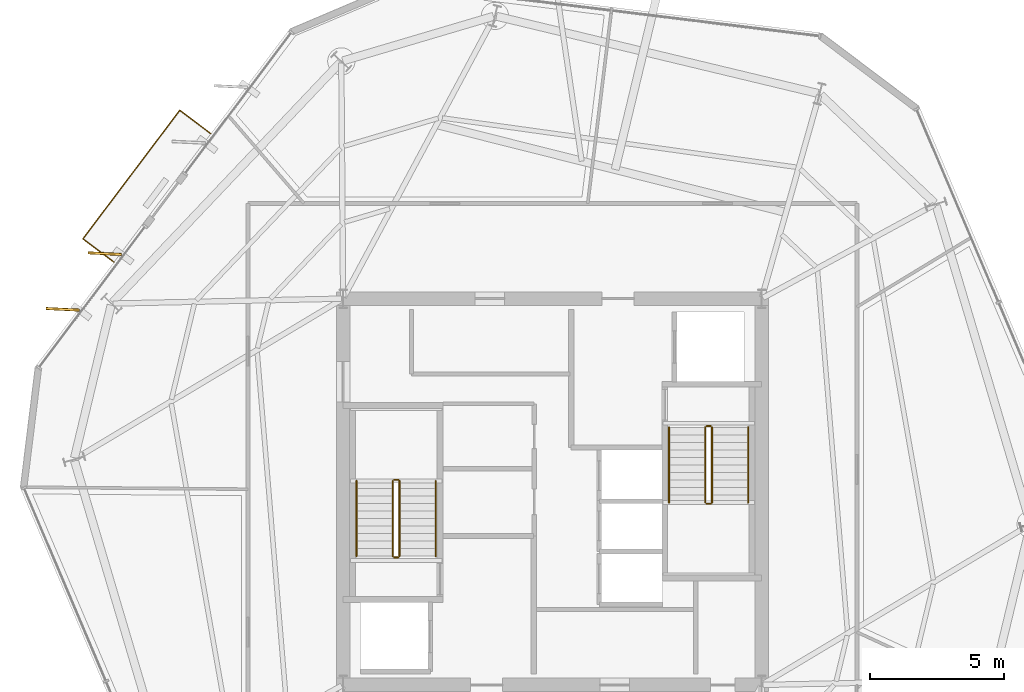
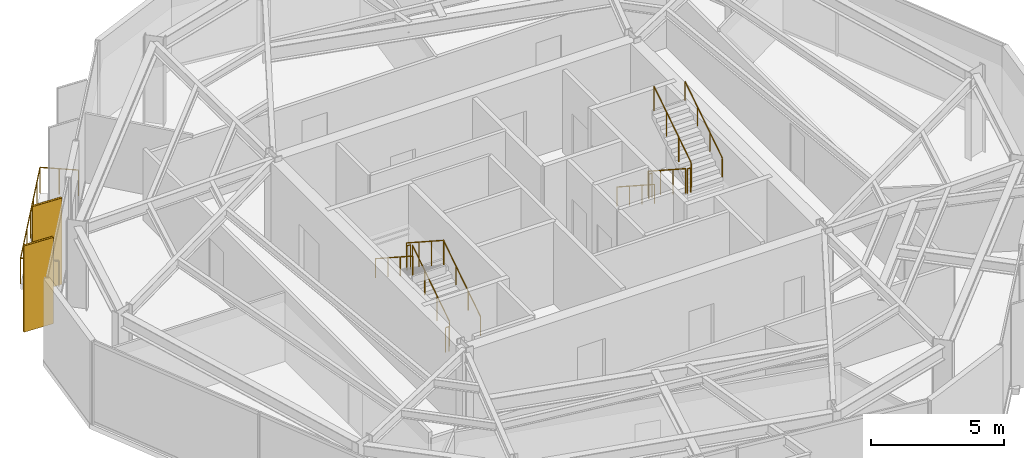
# One storey, part 11 of 12: 13 railings, 2 coverings, 2 shading devices.
"""IFC4 building model written with IfcOpenShell, lengths in metres."""

from ifc_helpers import new_model, si_unit, direction, frame, origin, origin_2d, place, context, subcontext, project, spatial, rectangle, circle, extrude, material, layer, layer_set, type_object, element, save


model = new_model("IFC4")

# Units and contexts
model_context = context("Model", 3, precision=1e-05, world=origin(), true_north=direction((0.0, 1.0)))
body_context = subcontext(model_context, "Body", "Model", "MODEL_VIEW")
ifc_project = project(units=[si_unit("LENGTHUNIT", "METRE"), si_unit("AREAUNIT", "SQUARE_METRE"), si_unit("VOLUMEUNIT", "CUBIC_METRE"), si_unit("PLANEANGLEUNIT", "RADIAN"), si_unit("MASSUNIT", "GRAM", prefix="KILO")], contexts=[model_context])

# Site, building, storey
site_placement = place(None, origin())
site = spatial("IfcSite", under=ifc_project, at=site_placement, CompositionType="ELEMENT")
building_placement = place(site_placement, origin())
building = spatial("IfcBuilding", under=site, at=building_placement, Name="Kranzbogen Civic Tower", CompositionType="ELEMENT")
storey_placement = place(building_placement, frame((0.0, 0.0, 236.800048828125)))
storey = spatial("IfcBuildingStorey", under=building, at=storey_placement, Name="L57", CompositionType="ELEMENT", Elevation=236.800048828125)

# Coverings
ifc_material_1 = material(Name="Pale Anodised Aluminium", Category="aluminium")
ifc_layer = layer(ifc_material_1, 0.02490234375, Name="Pale Anodised Aluminium")
ifc_layer_set = layer_set([ifc_layer], Name="Pale Anodised Aluminium")
covering_type = type_object("IfcCoveringType", Name="Anodised Aluminium Vertical Fin Cladding 25 mm", PredefinedType="CLADDING", material=ifc_layer_set)
for number, where, z_axis, x_axis, name in (
    (1, (8.31591796875, 33.876953125, -0.14013671875), (0.0, 0.0, 1.0), (-0.998799306891, 0.048989228964, 0.0), "L57 vertical fin pale-metal cladding F2-4"),
    (2, (6.7509765625, 31.801025390625, -0.14013671875), (0.0, 0.0, 1.0), (-0.998799306891, 0.048989228964, 0.0), "L57 vertical fin pale-metal cladding F2-5"),
):
    element("IfcCovering", number, at=place(storey_placement, frame(where, z_axis=z_axis, x_axis=x_axis)), inside=storey, type_object=covering_type, Name=name, PredefinedType="CLADDING", context=body_context, shape_type="SweptSolid", body=[
        extrude(rectangle(XDim=1.25, YDim=0.10009765625, at=origin_2d()), origin(), (0.0, 0.0, 1.0), 3.9599609375),
    ])

# Shading devices
ifc_material_2 = material(Name="Anodised Bronze Aluminium", Category="aluminium")
shading_device_type = type_object("IfcShadingDeviceType", Name="Anodised Bronze Vertical Facade Fin 1250x80", PredefinedType="USERDEFINED", material=ifc_material_2)
for number, where, z_axis, x_axis, name in (
    (3, (8.31591796875, 33.876953125, -0.14013671875), (0.0, 0.0, 1.0), (-0.998799306891, 0.048989228964, 0.0), "L57 vertical exterior shading fin F2-4"),
    (4, (6.7509765625, 31.801025390625, -0.14013671875), (0.0, 0.0, 1.0), (-0.998799306891, 0.048989228964, 0.0), "L57 vertical exterior shading fin F2-5"),
):
    element("IfcShadingDevice", number, at=place(storey_placement, frame(where, z_axis=z_axis, x_axis=x_axis)), inside=storey, type_object=shading_device_type, Name=name, ObjectType="FIN", PredefinedType="USERDEFINED", context=body_context, shape_type="SweptSolid", body=[
        extrude(rectangle(XDim=1.25, YDim=0.080078125, at=origin_2d()), origin(), (0.0, 0.0, 1.0), 3.9599609375),
    ])

# Railings
railing_type_1 = type_object("IfcRailingType", Name="Cantilevered Balcony Glass and Bronze Balustrade 1200", PredefinedType="BALUSTRADE", material=ifc_material_2)
railing_1_placement = place(storey_placement, frame((12.27001953125, 38.34912109375, 0.0)))
element("IfcRailing", 5, at=railing_1_placement, inside=storey, type_object=railing_type_1, Name="L57 exterior terrace balustrade L57-TB1", PredefinedType="BALUSTRADE", context=body_context, shape_type="SweptSolid", body=[
    extrude(circle(Radius=0.02392578125, at=origin_2d()), frame((0.0, 0.0, 1.17578125), z_axis=(-0.798563229381, 0.601910930853, 0.0), x_axis=(-0.601910930853, -0.798563229381, 0.0)), (0.0, 0.0, 1.0), 1.449951171875),
    extrude(circle(Radius=0.02392578125, at=origin_2d()), frame((-1.157958984375, 0.872802734375, 1.17578125), z_axis=(-0.601821280228, -0.798630794964, 0.0), x_axis=(0.798630794964, -0.601821280228, 0.0)), (0.0, 0.0, 1.0), 6.000244140625),
    extrude(circle(Radius=0.02392578125, at=origin_2d()), frame((-4.76904296875, -3.919189453125, 1.17578125), z_axis=(0.798482302568, -0.602018282518, 0.0), x_axis=(0.602018282518, 0.798482302568, 0.0)), (0.0, 0.0, 1.0), 1.4501953125),
    extrude(circle(Radius=0.02099609375, at=origin_2d()), origin(), (0.0, 0.0, 1.0), 1.15185546875),
    extrude(circle(Radius=0.02099609375, at=origin_2d()), frame((-0.5791015625, 0.4365234375, 0.0)), (0.0, 0.0, 1.0), 1.15185546875),
    extrude(circle(Radius=0.02099609375, at=origin_2d()), frame((-1.157958984375, 0.872802734375, 0.0)), (0.0, 0.0, 1.0), 1.15185546875),
    extrude(circle(Radius=0.02099609375, at=origin_2d()), frame((-1.759765625, 0.07421875, 0.0)), (0.0, 0.0, 1.0), 1.15185546875),
    extrude(circle(Radius=0.02099609375, at=origin_2d()), frame((-2.361572265625, -0.724609375, 0.0)), (0.0, 0.0, 1.0), 1.15185546875),
    extrude(circle(Radius=0.02099609375, at=origin_2d()), frame((-2.96337890625, -1.523193359375, 0.0)), (0.0, 0.0, 1.0), 1.15185546875),
    extrude(circle(Radius=0.02099609375, at=origin_2d()), frame((-3.5654296875, -2.32177734375, 0.0)), (0.0, 0.0, 1.0), 1.15185546875),
    extrude(circle(Radius=0.02099609375, at=origin_2d()), frame((-4.167236328125, -3.12060546875, 0.0)), (0.0, 0.0, 1.0), 1.15185546875),
    extrude(circle(Radius=0.02099609375, at=origin_2d()), frame((-4.76904296875, -3.919189453125, 0.0)), (0.0, 0.0, 1.0), 1.15185546875),
    extrude(circle(Radius=0.02099609375, at=origin_2d()), frame((-4.18994140625, -4.355712890625, 0.0)), (0.0, 0.0, 1.0), 1.15185546875),
    extrude(circle(Radius=0.02099609375, at=origin_2d()), frame((-3.611083984375, -4.792236328125, 0.0)), (0.0, 0.0, 1.0), 1.15185546875),
])
ifc_material_3 = material(Name="Steel S355", Category="steel")
railing_type_2 = type_object("IfcRailingType", Name="Internal Stair and Void Steel Guardrail 1150", PredefinedType="GUARDRAIL", material=ifc_material_3)
railing_2_placement = place(storey_placement, frame((19.300048828125, 22.60009765625, 0.181884765625)))
element("IfcRailing", 6, at=railing_2_placement, inside=storey, type_object=railing_type_2, Name="L57 ST-T1 stair guard 1", PredefinedType="GUARDRAIL", context=body_context, shape_type="SweptSolid", body=[
    extrude(circle(Radius=0.02392578125, at=origin_2d()), frame((0.0, 0.0, 1.1259765625), z_axis=(0.0, 0.83868413941, 0.544618136222), x_axis=(-1.0, 0.0, 0.0)), (0.0, 0.0, 1.0), 3.33837890625),
    extrude(circle(Radius=0.02099609375, at=origin_2d()), origin(), (0.0, 0.0, 1.0), 1.101806640625),
    extrude(circle(Radius=0.02099609375, at=origin_2d()), frame((0.0, 0.933349609375, 0.60595703125)), (0.0, 0.0, 1.0), 1.101806640625),
    extrude(circle(Radius=0.02099609375, at=origin_2d()), frame((0.0, 1.866455078125, 1.212158203125)), (0.0, 0.0, 1.0), 1.101806640625),
    extrude(circle(Radius=0.02099609375, at=origin_2d()), frame((0.0, 2.7998046875, 1.818115234375)), (0.0, 0.0, 1.0), 1.101806640625),
])
railing_3_placement = place(storey_placement, frame((19.25, 25.449951171875, 2.0)))
element("IfcRailing", 7, at=railing_3_placement, inside=storey, type_object=railing_type_2, Name="L57 ST-T1 stair guard 2", PredefinedType="GUARDRAIL", context=body_context, shape_type="SweptSolid", body=[
    extrude(circle(Radius=0.02392578125, at=origin_2d()), frame((0.0, 0.0, 1.1259765625), z_axis=(-1.0, 0.0, 0.0), x_axis=(0.0, -1.0, 0.0)), (0.0, 0.0, 1.0), 0.14990234375),
    extrude(circle(Radius=0.02099609375, at=origin_2d()), origin(), (0.0, 0.0, 1.0), 1.101806640625),
    extrude(circle(Radius=0.02099609375, at=origin_2d()), frame((-0.14990234375, 0.0, 0.0)), (0.0, 0.0, 1.0), 1.101806640625),
])
railing_4_placement = place(storey_placement, frame((19.050048828125, 25.39990234375, 2.181884765625)))
element("IfcRailing", 8, at=railing_4_placement, inside=storey, type_object=railing_type_2, Name="L57 ST-T1 stair guard 3", PredefinedType="GUARDRAIL", context=body_context, shape_type="SweptSolid", body=[
    extrude(circle(Radius=0.02392578125, at=origin_2d()), frame((0.0, 0.0, 1.1259765625), z_axis=(0.0, -0.83868413941, 0.544618136222), x_axis=(1.0, 0.0, 0.0)), (0.0, 0.0, 1.0), 3.33837890625),
    extrude(circle(Radius=0.02099609375, at=origin_2d()), origin(), (0.0, 0.0, 1.0), 1.101806640625),
    extrude(circle(Radius=0.02099609375, at=origin_2d()), frame((0.0, -0.933349609375, 0.60595703125)), (0.0, 0.0, 1.0), 1.101806640625),
    extrude(circle(Radius=0.02099609375, at=origin_2d()), frame((0.0, -1.866455078125, 1.212158203125)), (0.0, 0.0, 1.0), 1.101806640625),
    extrude(circle(Radius=0.02099609375, at=origin_2d()), frame((0.0, -2.7998046875, 1.818115234375)), (0.0, 0.0, 1.0), 1.101806640625),
])
railing_5_placement = place(storey_placement, frame((19.25, 22.550048828125, 0.0)))
element("IfcRailing", 9, at=railing_5_placement, inside=storey, type_object=railing_type_2, Name="L57 ST-T1 stair guard 4", PredefinedType="GUARDRAIL", context=body_context, shape_type="SweptSolid", body=[
    extrude(circle(Radius=0.02392578125, at=origin_2d()), frame((0.0, 0.0, 1.1259765625), z_axis=(-1.0, 0.0, 0.0), x_axis=(0.0, -1.0, 0.0)), (0.0, 0.0, 1.0), 0.14990234375),
    extrude(circle(Radius=0.02099609375, at=origin_2d()), origin(), (0.0, 0.0, 1.0), 1.101806640625),
    extrude(circle(Radius=0.02099609375, at=origin_2d()), frame((-0.14990234375, 0.0, 0.0)), (0.0, 0.0, 1.0), 1.101806640625),
])
railing_6_placement = place(storey_placement, frame((30.699951171875, 27.39990234375, 0.181884765625)))
element("IfcRailing", 10, at=railing_6_placement, inside=storey, type_object=railing_type_2, Name="L57 ST-T2 stair guard 1", PredefinedType="GUARDRAIL", context=body_context, shape_type="SweptSolid", body=[
    extrude(circle(Radius=0.02392578125, at=origin_2d()), frame((0.0, 0.0, 1.1259765625), z_axis=(0.0, -0.83868413941, 0.544618136222), x_axis=(1.0, 0.0, 0.0)), (0.0, 0.0, 1.0), 3.33837890625),
    extrude(circle(Radius=0.02099609375, at=origin_2d()), origin(), (0.0, 0.0, 1.0), 1.101806640625),
    extrude(circle(Radius=0.02099609375, at=origin_2d()), frame((0.0, -0.933349609375, 0.60595703125)), (0.0, 0.0, 1.0), 1.101806640625),
    extrude(circle(Radius=0.02099609375, at=origin_2d()), frame((0.0, -1.866455078125, 1.212158203125)), (0.0, 0.0, 1.0), 1.101806640625),
    extrude(circle(Radius=0.02099609375, at=origin_2d()), frame((0.0, -2.7998046875, 1.818115234375)), (0.0, 0.0, 1.0), 1.101806640625),
])
railing_7_placement = place(storey_placement, frame((30.75, 24.550048828125, 2.0)))
element("IfcRailing", 11, at=railing_7_placement, inside=storey, type_object=railing_type_2, Name="L57 ST-T2 stair guard 2", PredefinedType="GUARDRAIL", context=body_context, shape_type="SweptSolid", body=[
    extrude(circle(Radius=0.02392578125, at=origin_2d()), frame((0.0, 0.0, 1.1259765625), z_axis=(1.0, 0.0, 0.0), x_axis=(0.0, 1.0, 0.0)), (0.0, 0.0, 1.0), 0.14990234375),
    extrude(circle(Radius=0.02099609375, at=origin_2d()), origin(), (0.0, 0.0, 1.0), 1.101806640625),
    extrude(circle(Radius=0.02099609375, at=origin_2d()), frame((0.14990234375, 0.0, 0.0)), (0.0, 0.0, 1.0), 1.101806640625),
])
railing_8_placement = place(storey_placement, frame((30.949951171875, 24.60009765625, 2.181884765625)))
element("IfcRailing", 12, at=railing_8_placement, inside=storey, type_object=railing_type_2, Name="L57 ST-T2 stair guard 3", PredefinedType="GUARDRAIL", context=body_context, shape_type="SweptSolid", body=[
    extrude(circle(Radius=0.02392578125, at=origin_2d()), frame((0.0, 0.0, 1.1259765625), z_axis=(0.0, 0.83868413941, 0.544618136222), x_axis=(-1.0, 0.0, 0.0)), (0.0, 0.0, 1.0), 3.33837890625),
    extrude(circle(Radius=0.02099609375, at=origin_2d()), origin(), (0.0, 0.0, 1.0), 1.101806640625),
    extrude(circle(Radius=0.02099609375, at=origin_2d()), frame((0.0, 0.933349609375, 0.60595703125)), (0.0, 0.0, 1.0), 1.101806640625),
    extrude(circle(Radius=0.02099609375, at=origin_2d()), frame((0.0, 1.866455078125, 1.212158203125)), (0.0, 0.0, 1.0), 1.101806640625),
    extrude(circle(Radius=0.02099609375, at=origin_2d()), frame((0.0, 2.7998046875, 1.818115234375)), (0.0, 0.0, 1.0), 1.101806640625),
])
railing_9_placement = place(storey_placement, frame((30.75, 27.449951171875, 0.0)))
element("IfcRailing", 13, at=railing_9_placement, inside=storey, type_object=railing_type_2, Name="L57 ST-T2 stair guard 4", PredefinedType="GUARDRAIL", context=body_context, shape_type="SweptSolid", body=[
    extrude(circle(Radius=0.02392578125, at=origin_2d()), frame((0.0, 0.0, 1.1259765625), z_axis=(1.0, 0.0, 0.0), x_axis=(0.0, 1.0, 0.0)), (0.0, 0.0, 1.0), 0.14990234375),
    extrude(circle(Radius=0.02099609375, at=origin_2d()), origin(), (0.0, 0.0, 1.0), 1.101806640625),
    extrude(circle(Radius=0.02099609375, at=origin_2d()), frame((0.14990234375, 0.0, 0.0)), (0.0, 0.0, 1.0), 1.101806640625),
])
railing_type_3 = type_object("IfcRailingType", Name="Tubular Stainless Stair Wall Handrail 900", PredefinedType="HANDRAIL", material=ifc_material_1)
railing_10_placement = place(storey_placement, frame((20.64990234375, 22.60009765625, 0.181884765625)))
element("IfcRailing", 14, at=railing_10_placement, inside=storey, type_object=railing_type_3, Name="L57 ST-T1 stair handrail 1", PredefinedType="HANDRAIL", context=body_context, shape_type="SweptSolid", body=[
    extrude(circle(Radius=0.02392578125, at=origin_2d()), frame((0.0, 0.0, 0.8759765625), z_axis=(0.0, 0.83868413941, 0.544618136222), x_axis=(-1.0, 0.0, 0.0)), (0.0, 0.0, 1.0), 3.33837890625),
    extrude(circle(Radius=0.02099609375, at=origin_2d()), origin(), (0.0, 0.0, 1.0), 0.851806640625),
    extrude(circle(Radius=0.02099609375, at=origin_2d()), frame((0.0, 0.933349609375, 0.60595703125)), (0.0, 0.0, 1.0), 0.851806640625),
    extrude(circle(Radius=0.02099609375, at=origin_2d()), frame((0.0, 1.866455078125, 1.212158203125)), (0.0, 0.0, 1.0), 0.851806640625),
    extrude(circle(Radius=0.02099609375, at=origin_2d()), frame((0.0, 2.7998046875, 1.818115234375)), (0.0, 0.0, 1.0), 0.851806640625),
])
for number, where, name in (
    (15, (17.699951171875, 25.39990234375, 2.181884765625), "L57 ST-T1 stair handrail 2"),
    (16, (29.35009765625, 27.39990234375, 0.181884765625), "L57 ST-T2 stair handrail 1"),
):
    element("IfcRailing", number, at=place(storey_placement, frame(where)), inside=storey, type_object=railing_type_3, Name=name, PredefinedType="HANDRAIL", context=body_context, shape_type="SweptSolid", body=[
        extrude(circle(Radius=0.02392578125, at=origin_2d()), frame((0.0, 0.0, 0.8759765625), z_axis=(0.0, -0.83868413941, 0.544618136222), x_axis=(1.0, 0.0, 0.0)), (0.0, 0.0, 1.0), 3.33837890625),
        extrude(circle(Radius=0.02099609375, at=origin_2d()), origin(), (0.0, 0.0, 1.0), 0.851806640625),
        extrude(circle(Radius=0.02099609375, at=origin_2d()), frame((0.0, -0.933349609375, 0.60595703125)), (0.0, 0.0, 1.0), 0.851806640625),
        extrude(circle(Radius=0.02099609375, at=origin_2d()), frame((0.0, -1.866455078125, 1.212158203125)), (0.0, 0.0, 1.0), 0.851806640625),
        extrude(circle(Radius=0.02099609375, at=origin_2d()), frame((0.0, -2.7998046875, 1.818115234375)), (0.0, 0.0, 1.0), 0.851806640625),
    ])
railing_11_placement = place(storey_placement, frame((32.300048828125, 24.60009765625, 2.181884765625)))
element("IfcRailing", 17, at=railing_11_placement, inside=storey, type_object=railing_type_3, Name="L57 ST-T2 stair handrail 2", PredefinedType="HANDRAIL", context=body_context, shape_type="SweptSolid", body=[
    extrude(circle(Radius=0.02392578125, at=origin_2d()), frame((0.0, 0.0, 0.8759765625), z_axis=(0.0, 0.83868413941, 0.544618136222), x_axis=(-1.0, 0.0, 0.0)), (0.0, 0.0, 1.0), 3.33837890625),
    extrude(circle(Radius=0.02099609375, at=origin_2d()), origin(), (0.0, 0.0, 1.0), 0.851806640625),
    extrude(circle(Radius=0.02099609375, at=origin_2d()), frame((0.0, 0.933349609375, 0.60595703125)), (0.0, 0.0, 1.0), 0.851806640625),
    extrude(circle(Radius=0.02099609375, at=origin_2d()), frame((0.0, 1.866455078125, 1.212158203125)), (0.0, 0.0, 1.0), 0.851806640625),
    extrude(circle(Radius=0.02099609375, at=origin_2d()), frame((0.0, 2.7998046875, 1.818115234375)), (0.0, 0.0, 1.0), 0.851806640625),
])

save(model, "model.ifc")
